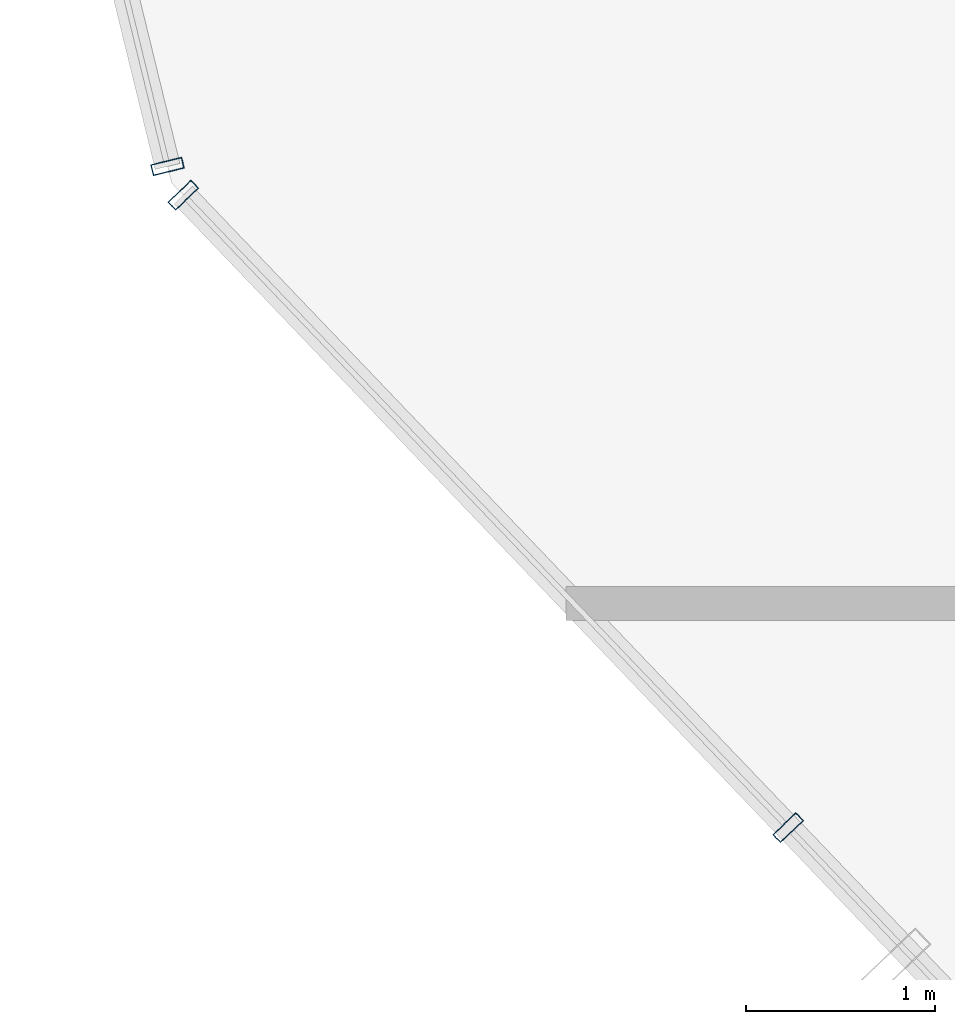
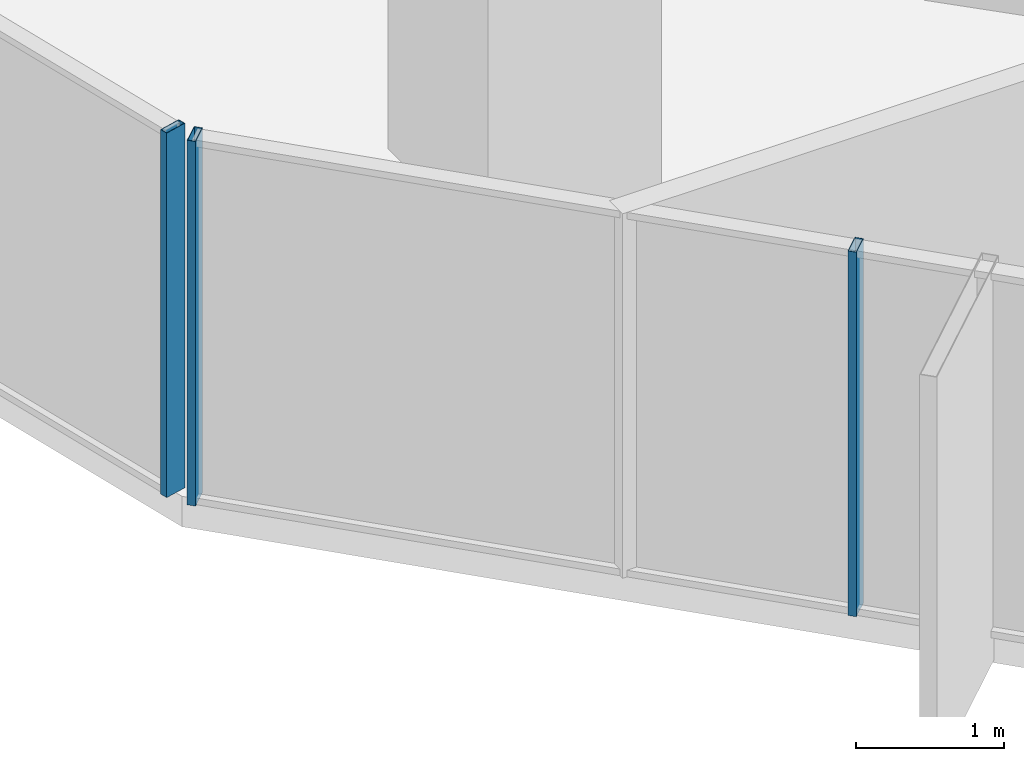
# One storey, part 4 of 37: 3 members, 2 elements without a shape of their own.
"""IFC4 building model written with IfcOpenShell, lengths in metres."""

from ifc_helpers import new_model, si_unit, direction, frame, origin, origin_2d, place, context, subcontext, project, spatial, hollow_rectangle, extrude, source, transform, mapped, material, layer, layer_set, material_profile, profile_set, type_object, element, aggregate, save


model = new_model("IFC4")

# Units and contexts
model_context = context("Model", 3, precision=1e-05, world=origin(), true_north=direction((0.0, 1.0)))
body_context = subcontext(model_context, "Body", "Model", "MODEL_VIEW")
ifc_project = project(units=[si_unit("LENGTHUNIT", "METRE"), si_unit("AREAUNIT", "SQUARE_METRE"), si_unit("VOLUMEUNIT", "CUBIC_METRE"), si_unit("PLANEANGLEUNIT", "RADIAN"), si_unit("MASSUNIT", "GRAM", prefix="KILO")], contexts=[model_context])

# Site, building, storey
site_placement = place(None, origin())
site = spatial("IfcSite", under=ifc_project, at=site_placement, CompositionType="ELEMENT")
building_placement = place(site_placement, origin())
building = spatial("IfcBuilding", under=site, at=building_placement, Name="Veraguas Prism Commons", CompositionType="ELEMENT")
storey_placement = place(building_placement, frame((0.0, 0.0, 70.60009765625)))
storey = spatial("IfcBuildingStorey", under=building, at=storey_placement, Name="L19", CompositionType="ELEMENT", Elevation=70.60009765625)

# Curtain wall, members
ifc_material = material(Name="Anodised aluminium EN AW-6063 T6", Category="aluminium")
ifc_layer = layer(ifc_material, 0.169921875, Name="Unitised Flush Curtain Wall Zone 1", Category="aluminium")
ifc_layer_set = layer_set([ifc_layer], Name="Anodised aluminium EN AW-6063 T6")
curtain_wall_type = type_object("IfcCurtainWallType", Name="Unitised Flush Curtain Wall Zone 1", PredefinedType="NOTDEFINED", material=ifc_layer_set)
curtain_wall_1_placement = place(storey_placement, origin())
curtain_wall_1 = element("IfcCurtainWall", 1, at=curtain_wall_1_placement, inside=storey, type_object=curtain_wall_type, Name="Tower Facade Curtain Wall L19-F4", PredefinedType="NOTDEFINED")
ifc_material_profile = material_profile(ifc_material, hollow_rectangle(XDim=0.06005859375, YDim=0.169921875, WallThickness=0.00390625, at=origin_2d()), Name="AL60X170X4")
ifc_profile_set = profile_set([ifc_material_profile], Name="Anodised aluminium EN AW-6063 T6")
member_type = type_object("IfcMemberType", Name="Curtain Wall Mullion Lower AL 60x170x4", PredefinedType="MULLION", material=ifc_profile_set)
shared_shape = source(origin(), body_context, "Body", "SweptSolid", [
    extrude(hollow_rectangle(XDim=0.06005859375, YDim=0.169921875, WallThickness=0.00390625, at=origin_2d()), origin(), (0.0, 0.0, 1.0), 3.0),
])
member_1_placement = place(storey_placement, frame((2.542724609375, 16.364990234375, 0.0), z_axis=(0.0, 0.0, 1.0), x_axis=(0.691135993516, -0.722724732154, 0.0)))
member_1 = element("IfcMember", 2, at=member_1_placement, type_object=member_type, Name="CW-Z1 Mullion 1", PredefinedType="MULLION", context=body_context, shape_type="MappedRepresentation", body=[
    mapped(shared_shape, transform((0.0, 0.0, 0.0), scale=1.0)),
])
member_2_placement = place(storey_placement, frame((5.750244140625, 13.0107421875, 0.0), z_axis=(0.0, 0.0, 1.0), x_axis=(0.691135993516, -0.722724732154, 0.0)))
member_2 = element("IfcMember", 3, at=member_2_placement, type_object=member_type, Name="CW-Z1 Mullion 2", PredefinedType="MULLION", context=body_context, shape_type="MappedRepresentation", body=[
    mapped(shared_shape, transform((0.0, 0.0, 0.0), scale=1.0)),
])
aggregate(curtain_wall_1, [member_1, member_2])

# Curtain wall, member
curtain_wall_2_placement = place(storey_placement, origin())
curtain_wall_2 = element("IfcCurtainWall", 4, at=curtain_wall_2_placement, inside=storey, type_object=curtain_wall_type, Name="Chamfer Curtain Wall L19-C4", PredefinedType="NOTDEFINED")
member_3_placement = place(storey_placement, frame((2.458984375, 16.517333984375, 0.0), z_axis=(0.0, 0.0, 1.0), x_axis=(0.237192525979, -0.971462663009, 0.0)))
member_3 = element("IfcMember", 5, at=member_3_placement, type_object=member_type, Name="CW-Z1 Mullion 2", PredefinedType="MULLION", context=body_context, shape_type="MappedRepresentation", body=[
    mapped(shared_shape, transform((0.0, 0.0, 0.0), scale=1.0)),
])
aggregate(curtain_wall_2, [member_3])

save(model, "model.ifc")
